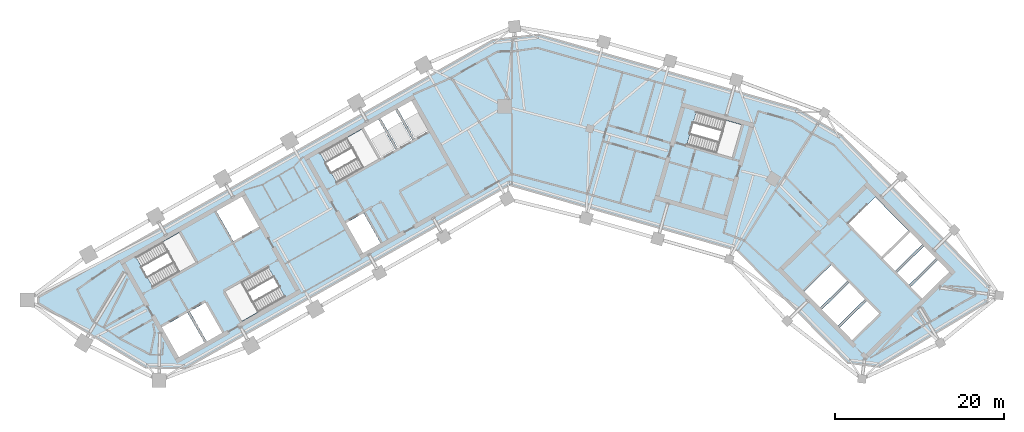
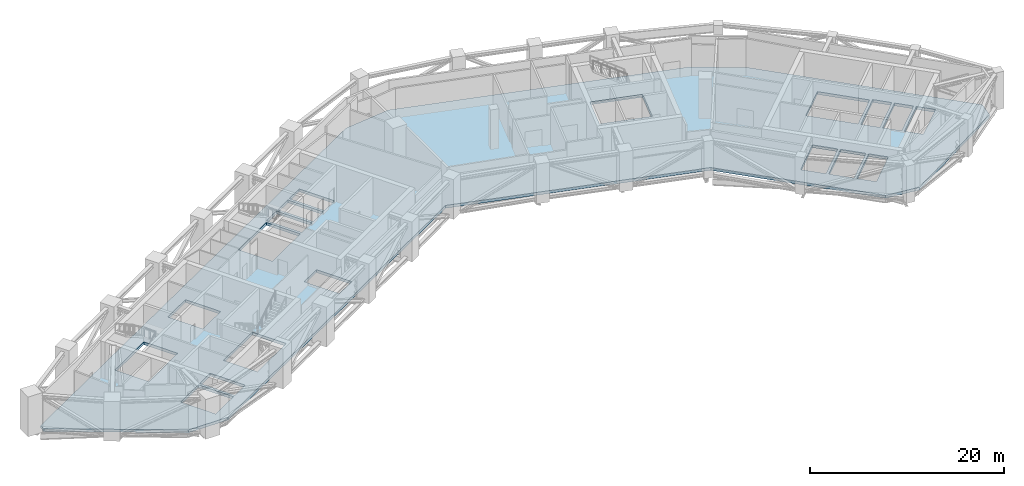
# One storey, part 7 of 16: 1 slab.
"""IFC4 building model written with IfcOpenShell, lengths in metres."""

from ifc_helpers import new_model, si_unit, direction, frame, origin, place, context, subcontext, project, spatial, polyline, outline, extrude, material, layer, layer_set, type_object, element, save


model = new_model("IFC4")

# Units and contexts
model_context = context("Model", 3, precision=1e-05, world=origin(), true_north=direction((0.0, 1.0)))
body_context = subcontext(model_context, "Body", "Model", "MODEL_VIEW")
ifc_project = project(units=[si_unit("LENGTHUNIT", "METRE"), si_unit("AREAUNIT", "SQUARE_METRE"), si_unit("VOLUMEUNIT", "CUBIC_METRE"), si_unit("PLANEANGLEUNIT", "RADIAN"), si_unit("MASSUNIT", "GRAM", prefix="KILO")], contexts=[model_context])

# Site, building, storey
site_placement = place(None, origin())
site = spatial("IfcSite", under=ifc_project, at=site_placement, CompositionType="ELEMENT")
building_placement = place(site_placement, origin())
building = spatial("IfcBuilding", under=site, at=building_placement, Name="Binnacle Exchange Tower", CompositionType="ELEMENT")
storey_placement = place(building_placement, frame((0.0, 0.0, 149.89990234375)))
storey = spatial("IfcBuildingStorey", under=building, at=storey_placement, Name="L31", CompositionType="ELEMENT", Elevation=149.89990234375)

# Slab
ifc_material = material(Name="Concrete C35/45", Category="concrete")
ifc_layer = layer(ifc_material, 0.35009765625)
ifc_layer_set = layer_set([ifc_layer], Name="Floor slab 350 Concrete C35/45")
slab_type = type_object("IfcSlabType", Name="Floor slab 350 Concrete C35/45", PredefinedType="FLOOR", material=ifc_layer_set)
slab_placement = place(storey_placement, frame((0.0, 0.0, -0.349853515625)))
element("IfcSlab", 1, at=slab_placement, inside=storey, type_object=slab_type, Name="S:SL:L31:01", PredefinedType="FLOOR", context=body_context, shape_type="SweptSolid", body=[
    extrude(outline(polyline([(56.6298828125, 38.691650390625), (56.388916015625, 36.798583984375), (43.599609375, 29.114013671875), (39.8662109375, 29.5888671875), (26.7578125, 42.927978515625), (-0.318603515625, 50.692138671875), (-38.74072265625, 28.953857421875), (-43.435791015625, 29.015380859375), (-56.197509765625, 36.683349609375), (-56.188720703125, 37.33740234375), (-2.2529296875, 67.85302734375), (3.15869140625, 68.493408203125), (33.78955078125, 59.710205078125), (39.051025390625, 56.580078125), (56.6298828125, 38.691650390625)]), holes=[polyline([(-36.411376953125, 31.873779296875), (-38.4794921875, 35.529296875), (-41.61279296875, 33.756591796875), (-39.544677734375, 30.10107421875), (-36.411376953125, 31.873779296875)]), polyline([(-34.322509765625, 33.0556640625), (-36.390625, 36.711181640625), (-38.21826171875, 35.677001953125), (-36.150146484375, 32.021484375), (-34.322509765625, 33.0556640625)]), polyline([(-34.040771484375, 38.04052734375), (-32.04638671875, 34.515625), (-26.9287109375, 37.4111328125), (-28.923095703125, 40.93603515625), (-34.040771484375, 38.04052734375)]), polyline([(-37.486572265625, 41.4912109375), (-39.480712890625, 45.01611328125), (-44.598388671875, 42.12060546875), (-42.604248046875, 38.595703125), (-37.486572265625, 41.4912109375)]), polyline([(-15.53076171875, 43.6875), (-17.598876953125, 47.343017578125), (-19.77490234375, 46.11181640625), (-17.70654296875, 42.456298828125), (-15.53076171875, 43.6875)]), polyline([(-29.914306640625, 45.775390625), (-31.982666015625, 49.430908203125), (-35.115966796875, 47.657958984375), (-33.047607421875, 44.00244140625), (-29.914306640625, 45.775390625)]), polyline([(-15.822509765625, 53.748046875), (-17.81689453125, 57.27294921875), (-22.760498046875, 54.47607421875), (-20.76611328125, 50.950927734375), (-15.822509765625, 53.748046875)]), polyline([(-15.5615234375, 53.895751953125), (-13.82080078125, 54.880615234375), (-15.888916015625, 58.5361328125), (-17.629638671875, 57.55126953125), (-15.5615234375, 53.895751953125)]), polyline([(-13.559814453125, 55.0283203125), (-11.819091796875, 56.01318359375), (-13.88720703125, 59.668701171875), (-15.6279296875, 58.683837890625), (-13.559814453125, 55.0283203125)]), polyline([(40.268798828125, 32.201904296875), (43.549560546875, 35.426025390625), (42.07763671875, 36.923828125), (38.796875, 33.69970703125), (40.268798828125, 32.201904296875)]), polyline([(38.58642578125, 33.913818359375), (41.867431640625, 37.137939453125), (39.97509765625, 39.063720703125), (36.694091796875, 35.83935546875), (38.58642578125, 33.913818359375)]), polyline([(36.48388671875, 36.053466796875), (39.7646484375, 39.277587890625), (37.872314453125, 41.203369140625), (34.59130859375, 37.979248046875), (36.48388671875, 36.053466796875)]), polyline([(48.726806640625, 37.148681640625), (52.0078125, 40.372802734375), (50.577880859375, 41.827880859375), (47.296875, 38.603759765625), (48.726806640625, 37.148681640625)]), polyline([(47.086669921875, 38.817626953125), (50.36767578125, 42.0419921875), (48.944580078125, 43.48974609375), (45.663818359375, 40.265625), (47.086669921875, 38.817626953125)]), polyline([(45.45361328125, 40.4794921875), (48.734375, 43.703857421875), (47.3115234375, 45.151611328125), (44.030517578125, 41.927490234375), (45.45361328125, 40.4794921875)]), polyline([(43.8203125, 42.141357421875), (46.994384765625, 45.260498046875), (43.083251953125, 49.240478515625), (39.9091796875, 46.121337890625), (43.8203125, 42.141357421875)]), polyline([(20.74755859375, 55.455078125), (26.111328125, 53.9169921875), (27.227783203125, 57.810302734375), (21.864013671875, 59.348388671875), (20.74755859375, 55.455078125)]), polyline([(-11.557861328125, 56.160888671875), (-9.817138671875, 57.145751953125), (-11.885498046875, 60.80126953125), (-13.626220703125, 59.81640625), (-11.557861328125, 56.160888671875)])]), origin(), (0.0, 0.0, 1.0), 0.349853515625),
])

save(model, "model.ifc")
